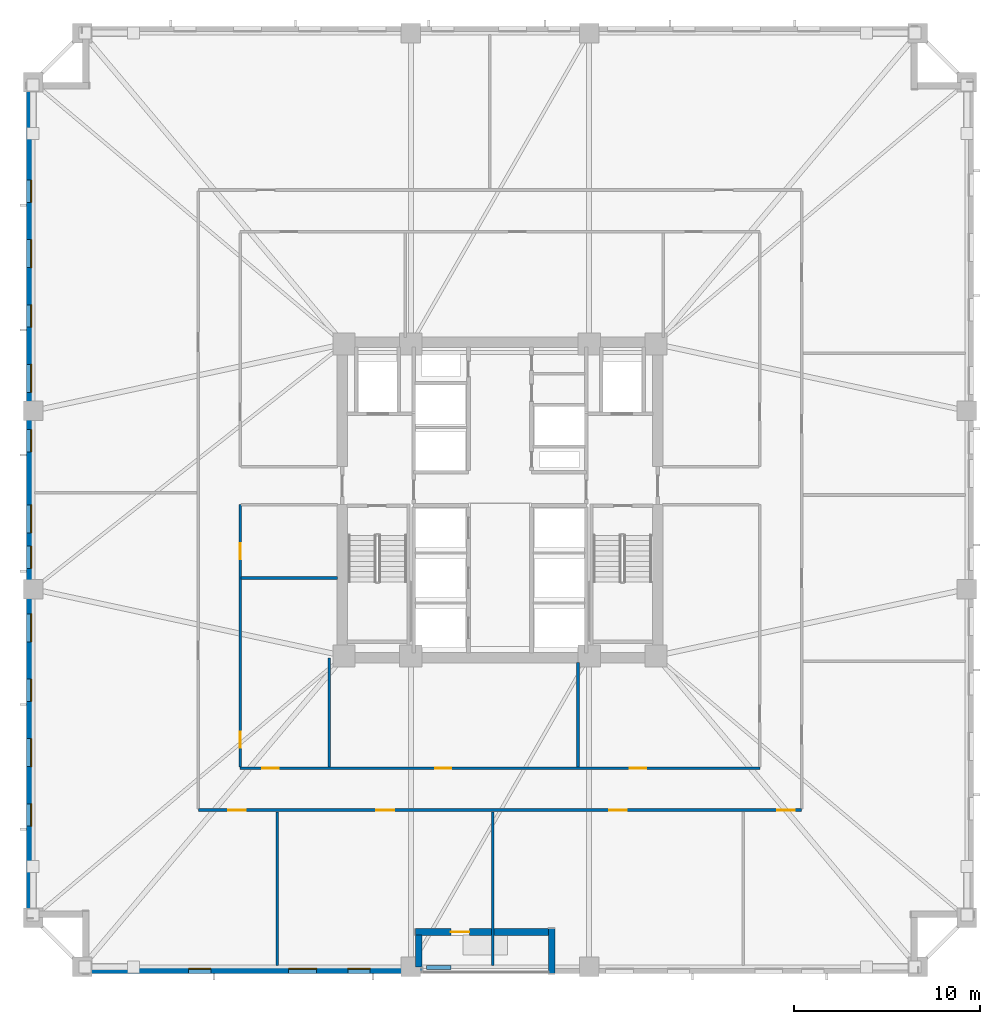
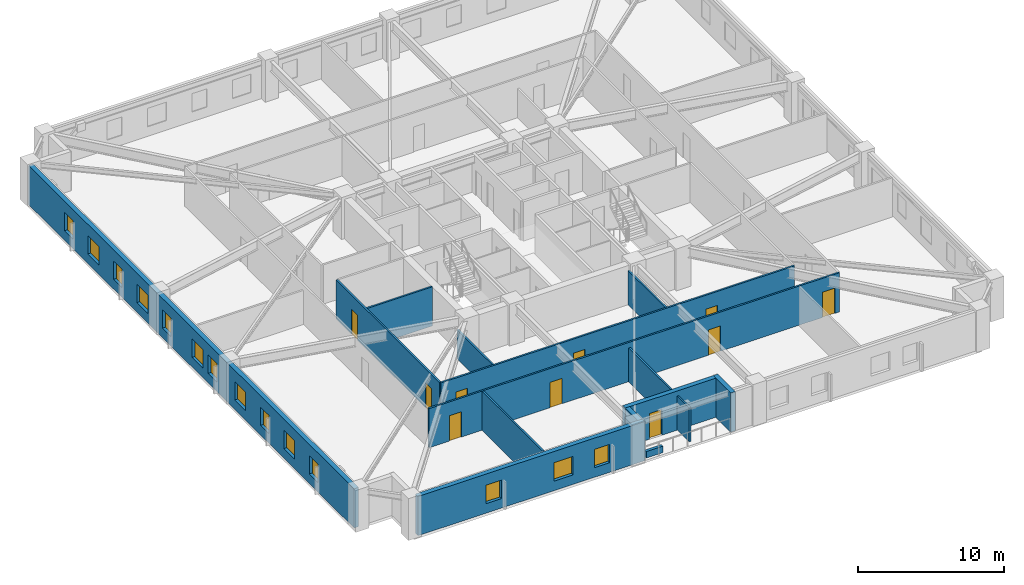
# One storey, part 2 of 11: 14 walls, 14 windows, 10 doors, 24 openings.
"""IFC4 building model written with IfcOpenShell, lengths in metres."""

from ifc_helpers import new_model, si_unit, direction, frame, frame_2d, origin, place, context, subcontext, project, spatial, rectangle, extrude, material, layer, layer_set, type_object, element, fill, save


model = new_model("IFC4")

# Units and contexts
model_context = context("Model", 3, precision=1e-05, world=origin(), true_north=direction((0.0, 1.0)))
body_context = subcontext(model_context, "Body", "Model", "MODEL_VIEW")
ifc_project = project(units=[si_unit("LENGTHUNIT", "METRE"), si_unit("AREAUNIT", "SQUARE_METRE"), si_unit("VOLUMEUNIT", "CUBIC_METRE"), si_unit("PLANEANGLEUNIT", "RADIAN"), si_unit("MASSUNIT", "GRAM", prefix="KILO")], contexts=[model_context])

# Site, building, storey
site_placement = place(None, origin())
site = spatial("IfcSite", under=ifc_project, at=site_placement, CompositionType="ELEMENT")
building_placement = place(site_placement, origin())
building = spatial("IfcBuilding", under=site, at=building_placement, Name="Cairnveth Concourse Tower", CompositionType="ELEMENT")
storey_placement = place(building_placement, frame((0.0, 0.0, 34.0)))
storey = spatial("IfcBuildingStorey", under=building, at=storey_placement, Name="L08", CompositionType="ELEMENT", Elevation=34.0)

# Wall, openings, doors
ifc_material_1 = material(Name="Gypsum Plasterboard Partition", Category="gypsum")
ifc_layer_1 = layer(ifc_material_1, 0.139892578125)
ifc_layer_set_1 = layer_set([ifc_layer_1], Name="Gypsum Plasterboard Partition")
wall_type_1 = type_object("IfcWallType", Name="GYPSUM STUD PARTITION 140", PredefinedType="PARTITIONING", material=ifc_layer_set_1)
wall_1_placement = place(storey_placement, frame((35.75, 22.300048828125, 0.0), z_axis=(0.0, 0.0, 1.0), x_axis=(1.0, 0.0, 0.0)))
wall_1 = element("IfcWall", 1, at=wall_1_placement, inside=storey, type_object=wall_type_1, Name="Interior Wall IW-L08-038", PredefinedType="PARTITIONING", context=body_context, shape_type="SweptSolid", body=[
    extrude(rectangle(XDim=32.5, YDim=0.139892578125, at=frame_2d((16.25, 0.0))), origin(), (0.0, 0.0, 1.0), 3.280029296875),
])
opening_1_placement = place(wall_1_placement, frame((1.603759765625, 0.0, 0.0)))
opening_1 = element("IfcOpeningElement", 2, at=opening_1_placement, cuts=wall_1, Name="Opening ID11", PredefinedType="OPENING", context=body_context, shape_type="SweptSolid", body=[
    extrude(rectangle(XDim=0.9599609375, YDim=2.1201171875, at=frame_2d((0.47998046875, 1.06005859375))), frame((0.0, 0.079833984375, 0.0), z_axis=(0.0, -1.0, 0.0), x_axis=(1.0, 0.0, 0.0)), (0.0, 0.0, 1.0), 0.159912109375),
])
opening_2_placement = place(wall_1_placement, frame((9.5849609375, 0.0, 0.0)))
opening_2 = element("IfcOpeningElement", 3, at=opening_2_placement, cuts=wall_1, Name="Opening ID11", PredefinedType="OPENING", context=body_context, shape_type="SweptSolid", body=[
    extrude(rectangle(XDim=0.9599609375, YDim=2.1201171875, at=frame_2d((0.47998046875, 1.06005859375))), frame((0.0, 0.079833984375, 0.0), z_axis=(0.0, -1.0, 0.0), x_axis=(1.0, 0.0, 0.0)), (0.0, 0.0, 1.0), 0.159912109375),
])
opening_3_placement = place(wall_1_placement, frame((22.125, 0.0, 0.0)))
opening_3 = element("IfcOpeningElement", 4, at=opening_3_placement, cuts=wall_1, Name="Opening ID11", PredefinedType="OPENING", context=body_context, shape_type="SweptSolid", body=[
    extrude(rectangle(XDim=0.9599609375, YDim=2.1201171875, at=frame_2d((0.47998046875, 1.06005859375))), frame((0.0, 0.079833984375, 0.0), z_axis=(0.0, -1.0, 0.0), x_axis=(1.0, 0.0, 0.0)), (0.0, 0.0, 1.0), 0.159912109375),
])
opening_4_placement = place(wall_1_placement, frame((31.179931640625, 0.0, 0.0)))
opening_4 = element("IfcOpeningElement", 5, at=opening_4_placement, cuts=wall_1, Name="Opening ID11", PredefinedType="OPENING", context=body_context, shape_type="SweptSolid", body=[
    extrude(rectangle(XDim=0.9599609375, YDim=2.1201171875, at=frame_2d((0.47998046875, 1.06005859375))), frame((0.0, 0.079833984375, 0.0), z_axis=(0.0, -1.0, 0.0), x_axis=(1.0, 0.0, 0.0)), (0.0, 0.0, 1.0), 0.159912109375),
])
ifc_material_2 = material(Name="Solid Core Hardwood Timber Leaf", Category="wood")
door_type_1 = type_object("IfcDoorType", Name="INTERIOR SINGLE DOOR 960X2150", OperationType="NOTDEFINED", PredefinedType="DOOR", material=ifc_material_2)
door_1_placement = place(opening_1_placement, origin())
door_1 = element("IfcDoor", 6, at=door_1_placement, inside=storey, type_object=door_type_1, Name="Office Door L08-S1", OperationType="SINGLE_SWING_LEFT", OverallHeight=2.1201171875, OverallWidth=0.9599609375, PredefinedType="DOOR", context=body_context, shape_type="SweptSolid", body=[
    extrude(rectangle(XDim=0.9599609375, YDim=2.1201171875, at=frame_2d((0.47998046875, 1.06005859375))), frame((0.0, 0.02490234375, 0.0), z_axis=(0.0, -1.0, 0.0), x_axis=(1.0, 0.0, 0.0)), (0.0, 0.0, 1.0), 0.050048828125),
])
fill(opening_1, door_1)
door_2_placement = place(opening_2_placement, origin())
door_2 = element("IfcDoor", 7, at=door_2_placement, inside=storey, type_object=door_type_1, Name="Office Door L08-S2", OperationType="SINGLE_SWING_RIGHT", OverallHeight=2.1201171875, OverallWidth=0.9599609375, PredefinedType="DOOR", context=body_context, shape_type="SweptSolid", body=[
    extrude(rectangle(XDim=0.9599609375, YDim=2.1201171875, at=frame_2d((0.47998046875, 1.06005859375))), frame((0.0, 0.02490234375, 0.0), z_axis=(0.0, -1.0, 0.0), x_axis=(1.0, 0.0, 0.0)), (0.0, 0.0, 1.0), 0.050048828125),
])
fill(opening_2, door_2)
door_3_placement = place(opening_3_placement, origin())
door_3 = element("IfcDoor", 8, at=door_3_placement, inside=storey, type_object=door_type_1, Name="Office Door L08-S3", OperationType="SINGLE_SWING_LEFT", OverallHeight=2.1201171875, OverallWidth=0.9599609375, PredefinedType="DOOR", context=body_context, shape_type="SweptSolid", body=[
    extrude(rectangle(XDim=0.9599609375, YDim=2.1201171875, at=frame_2d((0.47998046875, 1.06005859375))), frame((0.0, 0.02490234375, 0.0), z_axis=(0.0, -1.0, 0.0), x_axis=(1.0, 0.0, 0.0)), (0.0, 0.0, 1.0), 0.050048828125),
])
fill(opening_3, door_3)
door_4_placement = place(opening_4_placement, origin())
door_4 = element("IfcDoor", 9, at=door_4_placement, inside=storey, type_object=door_type_1, Name="Office Door L08-S4", OperationType="SINGLE_SWING_RIGHT", OverallHeight=2.1201171875, OverallWidth=0.9599609375, PredefinedType="DOOR", context=body_context, shape_type="SweptSolid", body=[
    extrude(rectangle(XDim=0.9599609375, YDim=2.1201171875, at=frame_2d((0.47998046875, 1.06005859375))), frame((0.0, 0.02490234375, 0.0), z_axis=(0.0, -1.0, 0.0), x_axis=(1.0, 0.0, 0.0)), (0.0, 0.0, 1.0), 0.050048828125),
])
fill(opening_4, door_4)

wall_2_placement = place(storey_placement, frame((38.0, 24.550048828125, 0.0), z_axis=(0.0, 0.0, 1.0), x_axis=(1.0, 0.0, 0.0)))
wall_2 = element("IfcWall", 10, at=wall_2_placement, inside=storey, type_object=wall_type_1, Name="Interior Wall IW-L08-042", PredefinedType="PARTITIONING", context=body_context, shape_type="SweptSolid", body=[
    extrude(rectangle(XDim=28.0, YDim=0.139892578125, at=frame_2d((14.0, 0.0))), origin(), (0.0, 0.0, 1.0), 3.280029296875),
])
opening_5_placement = place(wall_2_placement, frame((1.199951171875, 0.0, 0.0)))
opening_5 = element("IfcOpeningElement", 11, at=opening_5_placement, cuts=wall_2, Name="Opening ID18", PredefinedType="OPENING", context=body_context, shape_type="SweptSolid", body=[
    extrude(rectangle(XDim=0.8798828125, YDim=2.10009765625, at=frame_2d((0.43994140625, 1.050048828125))), frame((0.0, 0.079833984375, 0.0), z_axis=(0.0, -1.0, 0.0), x_axis=(1.0, 0.0, 0.0)), (0.0, 0.0, 1.0), 0.159912109375),
])
opening_6_placement = place(wall_2_placement, frame((10.5, 0.0, 0.0)))
opening_6 = element("IfcOpeningElement", 12, at=opening_6_placement, cuts=wall_2, Name="Opening ID18", PredefinedType="OPENING", context=body_context, shape_type="SweptSolid", body=[
    extrude(rectangle(XDim=0.8798828125, YDim=2.10009765625, at=frame_2d((0.43994140625, 1.050048828125))), frame((0.0, 0.079833984375, 0.0), z_axis=(0.0, -1.0, 0.0), x_axis=(1.0, 0.0, 0.0)), (0.0, 0.0, 1.0), 0.159912109375),
])
opening_7_placement = place(wall_2_placement, frame((21.0, 0.0, 0.0)))
opening_7 = element("IfcOpeningElement", 13, at=opening_7_placement, cuts=wall_2, Name="Opening ID18", PredefinedType="OPENING", context=body_context, shape_type="SweptSolid", body=[
    extrude(rectangle(XDim=0.8798828125, YDim=2.10009765625, at=frame_2d((0.43994140625, 1.050048828125))), frame((0.0, 0.079833984375, 0.0), z_axis=(0.0, -1.0, 0.0), x_axis=(1.0, 0.0, 0.0)), (0.0, 0.0, 1.0), 0.159912109375),
])
door_type_2 = type_object("IfcDoorType", Name="INTERIOR SINGLE DOOR 880X2100", OperationType="NOTDEFINED", PredefinedType="DOOR", material=ifc_material_2)
door_5_placement = place(opening_5_placement, origin())
door_5 = element("IfcDoor", 14, at=door_5_placement, inside=storey, type_object=door_type_2, Name="Interior Door DR-L08-014", OperationType="SINGLE_SWING_RIGHT", OverallHeight=2.10009765625, OverallWidth=0.8798828125, PredefinedType="DOOR", context=body_context, shape_type="SweptSolid", body=[
    extrude(rectangle(XDim=0.8798828125, YDim=2.10009765625, at=frame_2d((0.43994140625, 1.050048828125))), frame((0.0, 0.02490234375, 0.0), z_axis=(0.0, -1.0, 0.0), x_axis=(1.0, 0.0, 0.0)), (0.0, 0.0, 1.0), 0.050048828125),
])
fill(opening_5, door_5)
door_6_placement = place(opening_6_placement, origin())
door_6 = element("IfcDoor", 15, at=door_6_placement, inside=storey, type_object=door_type_2, Name="Interior Door DR-L08-015", OperationType="SINGLE_SWING_LEFT", OverallHeight=2.10009765625, OverallWidth=0.8798828125, PredefinedType="DOOR", context=body_context, shape_type="SweptSolid", body=[
    extrude(rectangle(XDim=0.8798828125, YDim=2.10009765625, at=frame_2d((0.43994140625, 1.050048828125))), frame((0.0, 0.02490234375, 0.0), z_axis=(0.0, -1.0, 0.0), x_axis=(1.0, 0.0, 0.0)), (0.0, 0.0, 1.0), 0.050048828125),
])
fill(opening_6, door_6)
door_7_placement = place(opening_7_placement, origin())
door_7 = element("IfcDoor", 16, at=door_7_placement, inside=storey, type_object=door_type_2, Name="Interior Door DR-L08-016", OperationType="SINGLE_SWING_RIGHT", OverallHeight=2.10009765625, OverallWidth=0.8798828125, PredefinedType="DOOR", context=body_context, shape_type="SweptSolid", body=[
    extrude(rectangle(XDim=0.8798828125, YDim=2.10009765625, at=frame_2d((0.43994140625, 1.050048828125))), frame((0.0, 0.02490234375, 0.0), z_axis=(0.0, -1.0, 0.0), x_axis=(1.0, 0.0, 0.0)), (0.0, 0.0, 1.0), 0.050048828125),
])
fill(opening_7, door_7)

wall_3_placement = place(storey_placement, frame((38.0, 24.60498046875, 0.0), z_axis=(0.0, 0.0, 1.0), x_axis=(0.0, 1.0, 0.0)))
wall_3 = element("IfcWall", 17, at=wall_3_placement, inside=storey, type_object=wall_type_1, Name="Interior Wall IW-L08-044", PredefinedType="PARTITIONING", context=body_context, shape_type="SweptSolid", body=[
    extrude(rectangle(XDim=14.14501953125, YDim=0.139892578125, at=frame_2d((7.072509765625, 0.0))), origin(), (0.0, 0.0, 1.0), 3.280029296875),
])
opening_8_placement = place(wall_3_placement, frame((1.044921875, 0.0, 0.0)))
opening_8 = element("IfcOpeningElement", 18, at=opening_8_placement, cuts=wall_3, Name="Opening ID18", PredefinedType="OPENING", context=body_context, shape_type="SweptSolid", body=[
    extrude(rectangle(XDim=0.8798828125, YDim=2.10009765625, at=frame_2d((0.43994140625, 1.050048828125))), frame((0.0, 0.079833984375, 0.0), z_axis=(0.0, -1.0, 0.0), x_axis=(1.0, 0.0, 0.0)), (0.0, 0.0, 1.0), 0.159912109375),
])
opening_9_placement = place(wall_3_placement, frame((11.195068359375, 0.0, 0.0)))
opening_9 = element("IfcOpeningElement", 19, at=opening_9_placement, cuts=wall_3, Name="Opening ID18", PredefinedType="OPENING", context=body_context, shape_type="SweptSolid", body=[
    extrude(rectangle(XDim=0.8798828125, YDim=2.10009765625, at=frame_2d((0.43994140625, 1.050048828125))), frame((0.0, 0.079833984375, 0.0), z_axis=(0.0, -1.0, 0.0), x_axis=(1.0, 0.0, 0.0)), (0.0, 0.0, 1.0), 0.159912109375),
])
door_8_placement = place(opening_8_placement, origin())
door_8 = element("IfcDoor", 20, at=door_8_placement, inside=storey, type_object=door_type_2, Name="Interior Door DR-L08-020", OperationType="SINGLE_SWING_RIGHT", OverallHeight=2.10009765625, OverallWidth=0.8798828125, PredefinedType="DOOR", context=body_context, shape_type="SweptSolid", body=[
    extrude(rectangle(XDim=0.8798828125, YDim=2.10009765625, at=frame_2d((0.43994140625, 1.050048828125))), frame((0.0, 0.02490234375, 0.0), z_axis=(0.0, -1.0, 0.0), x_axis=(1.0, 0.0, 0.0)), (0.0, 0.0, 1.0), 0.050048828125),
])
fill(opening_8, door_8)
door_9_placement = place(opening_9_placement, origin())
door_9 = element("IfcDoor", 21, at=door_9_placement, inside=storey, type_object=door_type_2, Name="Interior Door DR-L08-021", OperationType="SINGLE_SWING_LEFT", OverallHeight=2.10009765625, OverallWidth=0.8798828125, PredefinedType="DOOR", context=body_context, shape_type="SweptSolid", body=[
    extrude(rectangle(XDim=0.8798828125, YDim=2.10009765625, at=frame_2d((0.43994140625, 1.050048828125))), frame((0.0, 0.02490234375, 0.0), z_axis=(0.0, -1.0, 0.0), x_axis=(1.0, 0.0, 0.0)), (0.0, 0.0, 1.0), 0.050048828125),
])
fill(opening_9, door_9)

# Walls
wall_4_placement = place(storey_placement, frame((42.800048828125, 24.60498046875, 0.0), z_axis=(0.0, 0.0, 1.0), x_axis=(0.0, 1.0, 0.0)))
element("IfcWall", 22, at=wall_4_placement, inside=storey, type_object=wall_type_1, Name="Interior Wall IW-L08-052", PredefinedType="PARTITIONING", context=body_context, shape_type="SweptSolid", body=[
    extrude(rectangle(XDim=5.89501953125, YDim=0.139892578125, at=frame_2d((2.947509765625, 0.0))), origin(), (0.0, 0.0, 1.0), 2.43896484375),
])
wall_5_placement = place(storey_placement, frame((56.199951171875, 24.60498046875, 0.0), z_axis=(0.0, 0.0, 1.0), x_axis=(0.0, 1.0, 0.0)))
element("IfcWall", 23, at=wall_5_placement, inside=storey, type_object=wall_type_1, Name="Interior Wall IW-L08-053", PredefinedType="PARTITIONING", context=body_context, shape_type="SweptSolid", body=[
    extrude(rectangle(XDim=5.635009765625, YDim=0.139892578125, at=frame_2d((2.8173828125, 0.0))), origin(), (0.0, 0.0, 1.0), 2.84912109375),
])
wall_6_placement = place(storey_placement, frame((38.054931640625, 34.800048828125, 0.0), z_axis=(0.0, 0.0, 1.0), x_axis=(1.0, 0.0, 0.0)))
element("IfcWall", 24, at=wall_6_placement, inside=storey, type_object=wall_type_1, Name="Interior Wall IW-L08-056", PredefinedType="PARTITIONING", context=body_context, shape_type="SweptSolid", body=[
    extrude(rectangle(XDim=5.18505859375, YDim=0.139892578125, at=frame_2d((2.592529296875, 0.0))), origin(), (0.0, 0.0, 1.0), 3.280029296875),
])
wall_7_placement = place(storey_placement, frame((40.012451171875, 13.919921875, 0.0), z_axis=(0.0, 0.0, 1.0), x_axis=(0.0, 1.0, 0.0)))
element("IfcWall", 25, at=wall_7_placement, inside=storey, type_object=wall_type_1, Name="Interior Wall IW-L08-057", PredefinedType="PARTITIONING", context=body_context, shape_type="SweptSolid", body=[
    extrude(rectangle(XDim=8.280029296875, YDim=0.139892578125, at=frame_2d((4.14013671875, 0.0))), origin(), (0.0, 0.0, 1.0), 3.280029296875),
])
wall_8_placement = place(storey_placement, frame((51.617431640625, 13.919921875, 0.0), z_axis=(0.0, 0.0, 1.0), x_axis=(0.0, 1.0, 0.0)))
element("IfcWall", 26, at=wall_8_placement, inside=storey, type_object=wall_type_1, Name="Interior Wall IW-L08-058", PredefinedType="PARTITIONING", context=body_context, shape_type="SweptSolid", body=[
    extrude(rectangle(XDim=8.280029296875, YDim=0.139892578125, at=frame_2d((4.14013671875, 0.0))), origin(), (0.0, 0.0, 1.0), 2.84912109375),
])
ifc_material_3 = material(Name="Dressed Melbourne Bluestone Cladding", Category="masonry")
ifc_layer_2 = layer(ifc_material_3, 0.219970703125)
ifc_layer_set_2 = layer_set([ifc_layer_2], Name="Dressed Melbourne Bluestone Cladding")
wall_type_2 = type_object("IfcWallType", Name="TERRACE PLANTER CURB WALL 220", PredefinedType="PARAPET", material=ifc_layer_set_2)
wall_9_placement = place(storey_placement, frame((48.050048828125, 13.820068359375, 0.0), z_axis=(0.0, 0.0, 1.0), x_axis=(1.0, 0.0, 0.0)))
element("IfcWall", 27, at=wall_9_placement, inside=storey, type_object=wall_type_2, Name="Exterior Wall PLNT-L08-TERR", PredefinedType="PARAPET", context=body_context, shape_type="SweptSolid", body=[
    extrude(rectangle(XDim=1.300048828125, YDim=0.219970703125, at=frame_2d((0.64990234375, 0.0))), origin(), (0.0, 0.0, 1.0), 0.550048828125),
])

# Wall, openings, windows
ifc_material_4 = material(Name="Hawthorn Red-Ochre Fired Clay Brick Masonry", Category="masonry")
ifc_layer_3 = layer(ifc_material_4, 0.360107421875)
ifc_layer_set_3 = layer_set([ifc_layer_3], Name="Hawthorn Red-Ochre Fired Clay Brick Masonry")
wall_type_3 = type_object("IfcWallType", Name="ZONE 1 BRICK PIER SPANDREL WALL 360", PredefinedType="SOLIDWALL", material=ifc_layer_set_3)
wall_10_placement = place(storey_placement, frame((47.800048828125, 13.679931640625, 0.0), z_axis=(0.0, 0.0, 1.0), x_axis=(-1.0, 0.0, 0.0)))
wall_10 = element("IfcWall", 28, at=wall_10_placement, inside=storey, type_object=wall_type_3, Name="Exterior Wall EW-L08-S00", PredefinedType="SOLIDWALL", context=body_context, shape_type="SweptSolid", body=[
    extrude(rectangle(XDim=17.962158203125, YDim=0.360107421875, at=frame_2d((8.98095703125, 0.0))), origin(), (0.0, 0.0, 1.0), 3.280029296875),
])
opening_10_placement = place(wall_10_placement, frame((2.793701171875, 0.0, 0.800048828125)))
opening_10 = element("IfcOpeningElement", 29, at=opening_10_placement, cuts=wall_10, Name="Opening W01", PredefinedType="OPENING", context=body_context, shape_type="SweptSolid", body=[
    extrude(rectangle(XDim=1.199951171875, YDim=1.5439453125, at=frame_2d((0.60009765625, 0.77197265625))), frame((0.0, 0.18994140625, 0.0), z_axis=(0.0, -1.0, 0.0), x_axis=(1.0, 0.0, 0.0)), (0.0, 0.0, 1.0), 0.380126953125),
])
opening_11_placement = place(wall_10_placement, frame((5.680908203125, 0.0, 0.800048828125)))
opening_11 = element("IfcOpeningElement", 30, at=opening_11_placement, cuts=wall_10, Name="Opening W03", PredefinedType="OPENING", context=body_context, shape_type="SweptSolid", body=[
    extrude(rectangle(XDim=1.5, YDim=1.5439453125, at=frame_2d((0.75, 0.77197265625))), frame((0.0, 0.18994140625, 0.0), z_axis=(0.0, -1.0, 0.0), x_axis=(1.0, 0.0, 0.0)), (0.0, 0.0, 1.0), 0.380126953125),
])
opening_12_placement = place(wall_10_placement, frame((11.368408203125, 0.0, 0.800048828125)))
opening_12 = element("IfcOpeningElement", 31, at=opening_12_placement, cuts=wall_10, Name="Opening W01", PredefinedType="OPENING", context=body_context, shape_type="SweptSolid", body=[
    extrude(rectangle(XDim=1.199951171875, YDim=1.5439453125, at=frame_2d((0.60009765625, 0.77197265625))), frame((0.0, 0.18994140625, 0.0), z_axis=(0.0, -1.0, 0.0), x_axis=(1.0, 0.0, 0.0)), (0.0, 0.0, 1.0), 0.380126953125),
])
ifc_material_5 = material(Name="Double Glazed Low-E Clear Glass", Category="glass")
window_type_1 = type_object("IfcWindowType", Name="DEEP-SET GOTHIC LANCET WINDOW 1200X1800", PartitioningType="DOUBLE_PANEL_VERTICAL", PredefinedType="WINDOW", material=ifc_material_5)
window_1_placement = place(opening_10_placement, origin())
window_1 = element("IfcWindow", 32, at=window_1_placement, inside=storey, type_object=window_type_1, Name="Gothic Lancet Window L08-0-1", OverallHeight=1.5439453125, OverallWidth=1.199951171875, PartitioningType="SINGLE_PANEL", PredefinedType="WINDOW", context=body_context, shape_type="SweptSolid", body=[
    extrude(rectangle(XDim=1.199951171875, YDim=1.5439453125, at=frame_2d((0.60009765625, 0.77197265625))), frame((0.0, -0.050048828125, 0.0), z_axis=(0.0, -1.0, 0.0), x_axis=(1.0, 0.0, 0.0)), (0.0, 0.0, 1.0), 0.06005859375),
])
fill(opening_10, window_1)
window_2_placement = place(opening_12_placement, origin())
window_2 = element("IfcWindow", 33, at=window_2_placement, inside=storey, type_object=window_type_1, Name="Gothic Lancet Window L08-0-3", OverallHeight=1.5439453125, OverallWidth=1.199951171875, PartitioningType="SINGLE_PANEL", PredefinedType="WINDOW", context=body_context, shape_type="SweptSolid", body=[
    extrude(rectangle(XDim=1.199951171875, YDim=1.5439453125, at=frame_2d((0.60009765625, 0.77197265625))), frame((0.0, -0.050048828125, 0.0), z_axis=(0.0, -1.0, 0.0), x_axis=(1.0, 0.0, 0.0)), (0.0, 0.0, 1.0), 0.06005859375),
])
fill(opening_12, window_2)
window_type_2 = type_object("IfcWindowType", Name="DEEP-SET GOTHIC LANCET WINDOW 1500X1800", PartitioningType="DOUBLE_PANEL_VERTICAL", PredefinedType="WINDOW", material=ifc_material_5)
window_3_placement = place(opening_11_placement, origin())
window_3 = element("IfcWindow", 34, at=window_3_placement, inside=storey, type_object=window_type_2, Name="Gothic Lancet Window L08-0-2", OverallHeight=1.5439453125, OverallWidth=1.5, PartitioningType="SINGLE_PANEL", PredefinedType="WINDOW", context=body_context, shape_type="SweptSolid", body=[
    extrude(rectangle(XDim=1.5, YDim=1.5439453125, at=frame_2d((0.75, 0.77197265625))), frame((0.0, -0.050048828125, 0.0), z_axis=(0.0, -1.0, 0.0), x_axis=(1.0, 0.0, 0.0)), (0.0, 0.0, 1.0), 0.06005859375),
])
fill(opening_11, window_3)

wall_11_placement = place(storey_placement, frame((26.679931640625, 16.5, 0.0), z_axis=(0.0, 0.0, 1.0), x_axis=(0.0, 1.0, 0.0)))
wall_11 = element("IfcWall", 35, at=wall_11_placement, inside=storey, type_object=wall_type_3, Name="Exterior Wall EW-L08-S03", PredefinedType="SOLIDWALL", context=body_context, shape_type="SweptSolid", body=[
    extrude(rectangle(XDim=44.662109375, YDim=0.360107421875, at=frame_2d((22.3310546875, 0.0))), origin(), (0.0, 0.0, 1.0), 3.280029296875),
])
opening_13_placement = place(wall_11_placement, frame((4.93017578125, 0.0, 0.800048828125)))
opening_13 = element("IfcOpeningElement", 36, at=opening_13_placement, cuts=wall_11, Name="Opening W01", PredefinedType="OPENING", context=body_context, shape_type="SweptSolid", body=[
    extrude(rectangle(XDim=1.199951171875, YDim=1.5439453125, at=frame_2d((0.60009765625, 0.77197265625))), frame((0.0, 0.18994140625, 0.0), z_axis=(0.0, -1.0, 0.0), x_axis=(1.0, 0.0, 0.0)), (0.0, 0.0, 1.0), 0.380126953125),
])
opening_14_placement = place(wall_11_placement, frame((8.140380859375, 0.0, 0.800048828125)))
opening_14 = element("IfcOpeningElement", 37, at=opening_14_placement, cuts=wall_11, Name="Opening W03", PredefinedType="OPENING", context=body_context, shape_type="SweptSolid", body=[
    extrude(rectangle(XDim=1.5, YDim=1.5439453125, at=frame_2d((0.75, 0.77197265625))), frame((0.0, 0.18994140625, 0.0), z_axis=(0.0, -1.0, 0.0), x_axis=(1.0, 0.0, 0.0)), (0.0, 0.0, 1.0), 0.380126953125),
])
opening_15_placement = place(wall_11_placement, frame((11.650390625, 0.0, 0.800048828125)))
opening_15 = element("IfcOpeningElement", 38, at=opening_15_placement, cuts=wall_11, Name="Opening W01", PredefinedType="OPENING", context=body_context, shape_type="SweptSolid", body=[
    extrude(rectangle(XDim=1.199951171875, YDim=1.5439453125, at=frame_2d((0.60009765625, 0.77197265625))), frame((0.0, 0.18994140625, 0.0), z_axis=(0.0, -1.0, 0.0), x_axis=(1.0, 0.0, 0.0)), (0.0, 0.0, 1.0), 0.380126953125),
])
opening_16_placement = place(wall_11_placement, frame((14.860595703125, 0.0, 0.800048828125)))
opening_16 = element("IfcOpeningElement", 39, at=opening_16_placement, cuts=wall_11, Name="Opening W03", PredefinedType="OPENING", context=body_context, shape_type="SweptSolid", body=[
    extrude(rectangle(XDim=1.5, YDim=1.5439453125, at=frame_2d((0.75, 0.77197265625))), frame((0.0, 0.18994140625, 0.0), z_axis=(0.0, -1.0, 0.0), x_axis=(1.0, 0.0, 0.0)), (0.0, 0.0, 1.0), 0.380126953125),
])
opening_17_placement = place(wall_11_placement, frame((18.82080078125, 0.0, 0.800048828125)))
opening_17 = element("IfcOpeningElement", 40, at=opening_17_placement, cuts=wall_11, Name="Opening W01", PredefinedType="OPENING", context=body_context, shape_type="SweptSolid", body=[
    extrude(rectangle(XDim=1.199951171875, YDim=1.5439453125, at=frame_2d((0.60009765625, 0.77197265625))), frame((0.0, 0.18994140625, 0.0), z_axis=(0.0, -1.0, 0.0), x_axis=(1.0, 0.0, 0.0)), (0.0, 0.0, 1.0), 0.380126953125),
])
opening_18_placement = place(wall_11_placement, frame((20.73095703125, 0.0, 0.800048828125)))
opening_18 = element("IfcOpeningElement", 41, at=opening_18_placement, cuts=wall_11, Name="Opening W03", PredefinedType="OPENING", context=body_context, shape_type="SweptSolid", body=[
    extrude(rectangle(XDim=1.5, YDim=1.5439453125, at=frame_2d((0.75, 0.77197265625))), frame((0.0, 0.18994140625, 0.0), z_axis=(0.0, -1.0, 0.0), x_axis=(1.0, 0.0, 0.0)), (0.0, 0.0, 1.0), 0.380126953125),
])
opening_19_placement = place(wall_11_placement, frame((25.09130859375, 0.0, 0.800048828125)))
opening_19 = element("IfcOpeningElement", 42, at=opening_19_placement, cuts=wall_11, Name="Opening W01", PredefinedType="OPENING", context=body_context, shape_type="SweptSolid", body=[
    extrude(rectangle(XDim=1.199951171875, YDim=1.5439453125, at=frame_2d((0.60009765625, 0.77197265625))), frame((0.0, 0.18994140625, 0.0), z_axis=(0.0, -1.0, 0.0), x_axis=(1.0, 0.0, 0.0)), (0.0, 0.0, 1.0), 0.380126953125),
])
opening_20_placement = place(wall_11_placement, frame((28.301513671875, 0.0, 0.800048828125)))
opening_20 = element("IfcOpeningElement", 43, at=opening_20_placement, cuts=wall_11, Name="Opening W03", PredefinedType="OPENING", context=body_context, shape_type="SweptSolid", body=[
    extrude(rectangle(XDim=1.5, YDim=1.5439453125, at=frame_2d((0.75, 0.77197265625))), frame((0.0, 0.18994140625, 0.0), z_axis=(0.0, -1.0, 0.0), x_axis=(1.0, 0.0, 0.0)), (0.0, 0.0, 1.0), 0.380126953125),
])
opening_21_placement = place(wall_11_placement, frame((31.8115234375, 0.0, 0.800048828125)))
opening_21 = element("IfcOpeningElement", 44, at=opening_21_placement, cuts=wall_11, Name="Opening W01", PredefinedType="OPENING", context=body_context, shape_type="SweptSolid", body=[
    extrude(rectangle(XDim=1.199951171875, YDim=1.5439453125, at=frame_2d((0.60009765625, 0.77197265625))), frame((0.0, 0.18994140625, 0.0), z_axis=(0.0, -1.0, 0.0), x_axis=(1.0, 0.0, 0.0)), (0.0, 0.0, 1.0), 0.380126953125),
])
opening_22_placement = place(wall_11_placement, frame((35.021728515625, 0.0, 0.800048828125)))
opening_22 = element("IfcOpeningElement", 45, at=opening_22_placement, cuts=wall_11, Name="Opening W03", PredefinedType="OPENING", context=body_context, shape_type="SweptSolid", body=[
    extrude(rectangle(XDim=1.5, YDim=1.5439453125, at=frame_2d((0.75, 0.77197265625))), frame((0.0, 0.18994140625, 0.0), z_axis=(0.0, -1.0, 0.0), x_axis=(1.0, 0.0, 0.0)), (0.0, 0.0, 1.0), 0.380126953125),
])
opening_23_placement = place(wall_11_placement, frame((38.531982421875, 0.0, 0.800048828125)))
opening_23 = element("IfcOpeningElement", 46, at=opening_23_placement, cuts=wall_11, Name="Opening W01", PredefinedType="OPENING", context=body_context, shape_type="SweptSolid", body=[
    extrude(rectangle(XDim=1.199951171875, YDim=1.5439453125, at=frame_2d((0.60009765625, 0.77197265625))), frame((0.0, 0.18994140625, 0.0), z_axis=(0.0, -1.0, 0.0), x_axis=(1.0, 0.0, 0.0)), (0.0, 0.0, 1.0), 0.380126953125),
])
window_4_placement = place(opening_13_placement, origin())
window_4 = element("IfcWindow", 47, at=window_4_placement, inside=storey, type_object=window_type_1, Name="Gothic Lancet Window L08-3-1", OverallHeight=1.5439453125, OverallWidth=1.199951171875, PartitioningType="SINGLE_PANEL", PredefinedType="WINDOW", context=body_context, shape_type="SweptSolid", body=[
    extrude(rectangle(XDim=1.199951171875, YDim=1.5439453125, at=frame_2d((0.60009765625, 0.77197265625))), frame((0.0, -0.050048828125, 0.0), z_axis=(0.0, -1.0, 0.0), x_axis=(1.0, 0.0, 0.0)), (0.0, 0.0, 1.0), 0.06005859375),
])
fill(opening_13, window_4)
window_5_placement = place(opening_15_placement, origin())
window_5 = element("IfcWindow", 48, at=window_5_placement, inside=storey, type_object=window_type_1, Name="Gothic Lancet Window L08-3-3", OverallHeight=1.5439453125, OverallWidth=1.199951171875, PartitioningType="SINGLE_PANEL", PredefinedType="WINDOW", context=body_context, shape_type="SweptSolid", body=[
    extrude(rectangle(XDim=1.199951171875, YDim=1.5439453125, at=frame_2d((0.60009765625, 0.77197265625))), frame((0.0, -0.050048828125, 0.0), z_axis=(0.0, -1.0, 0.0), x_axis=(1.0, 0.0, 0.0)), (0.0, 0.0, 1.0), 0.06005859375),
])
fill(opening_15, window_5)
window_6_placement = place(opening_17_placement, origin())
window_6 = element("IfcWindow", 49, at=window_6_placement, inside=storey, type_object=window_type_1, Name="Gothic Lancet Window L08-3-5", OverallHeight=1.5439453125, OverallWidth=1.199951171875, PartitioningType="SINGLE_PANEL", PredefinedType="WINDOW", context=body_context, shape_type="SweptSolid", body=[
    extrude(rectangle(XDim=1.199951171875, YDim=1.5439453125, at=frame_2d((0.60009765625, 0.77197265625))), frame((0.0, -0.050048828125, 0.0), z_axis=(0.0, -1.0, 0.0), x_axis=(1.0, 0.0, 0.0)), (0.0, 0.0, 1.0), 0.06005859375),
])
fill(opening_17, window_6)
window_7_placement = place(opening_19_placement, origin())
window_7 = element("IfcWindow", 50, at=window_7_placement, inside=storey, type_object=window_type_1, Name="Gothic Lancet Window L08-3-7", OverallHeight=1.5439453125, OverallWidth=1.199951171875, PartitioningType="SINGLE_PANEL", PredefinedType="WINDOW", context=body_context, shape_type="SweptSolid", body=[
    extrude(rectangle(XDim=1.199951171875, YDim=1.5439453125, at=frame_2d((0.60009765625, 0.77197265625))), frame((0.0, -0.050048828125, 0.0), z_axis=(0.0, -1.0, 0.0), x_axis=(1.0, 0.0, 0.0)), (0.0, 0.0, 1.0), 0.06005859375),
])
fill(opening_19, window_7)
window_8_placement = place(opening_21_placement, origin())
window_8 = element("IfcWindow", 51, at=window_8_placement, inside=storey, type_object=window_type_1, Name="Gothic Lancet Window L08-3-9", OverallHeight=1.5439453125, OverallWidth=1.199951171875, PartitioningType="SINGLE_PANEL", PredefinedType="WINDOW", context=body_context, shape_type="SweptSolid", body=[
    extrude(rectangle(XDim=1.199951171875, YDim=1.5439453125, at=frame_2d((0.60009765625, 0.77197265625))), frame((0.0, -0.050048828125, 0.0), z_axis=(0.0, -1.0, 0.0), x_axis=(1.0, 0.0, 0.0)), (0.0, 0.0, 1.0), 0.06005859375),
])
fill(opening_21, window_8)
window_9_placement = place(opening_23_placement, origin())
window_9 = element("IfcWindow", 52, at=window_9_placement, inside=storey, type_object=window_type_1, Name="Gothic Lancet Window L08-3-11", OverallHeight=1.5439453125, OverallWidth=1.199951171875, PartitioningType="SINGLE_PANEL", PredefinedType="WINDOW", context=body_context, shape_type="SweptSolid", body=[
    extrude(rectangle(XDim=1.199951171875, YDim=1.5439453125, at=frame_2d((0.60009765625, 0.77197265625))), frame((0.0, -0.050048828125, 0.0), z_axis=(0.0, -1.0, 0.0), x_axis=(1.0, 0.0, 0.0)), (0.0, 0.0, 1.0), 0.06005859375),
])
fill(opening_23, window_9)
window_10_placement = place(opening_14_placement, origin())
window_10 = element("IfcWindow", 53, at=window_10_placement, inside=storey, type_object=window_type_2, Name="Gothic Lancet Window L08-3-2", OverallHeight=1.5439453125, OverallWidth=1.5, PartitioningType="SINGLE_PANEL", PredefinedType="WINDOW", context=body_context, shape_type="SweptSolid", body=[
    extrude(rectangle(XDim=1.5, YDim=1.5439453125, at=frame_2d((0.75, 0.77197265625))), frame((0.0, -0.050048828125, 0.0), z_axis=(0.0, -1.0, 0.0), x_axis=(1.0, 0.0, 0.0)), (0.0, 0.0, 1.0), 0.06005859375),
])
fill(opening_14, window_10)
window_11_placement = place(opening_16_placement, origin())
window_11 = element("IfcWindow", 54, at=window_11_placement, inside=storey, type_object=window_type_2, Name="Gothic Lancet Window L08-3-4", OverallHeight=1.5439453125, OverallWidth=1.5, PartitioningType="SINGLE_PANEL", PredefinedType="WINDOW", context=body_context, shape_type="SweptSolid", body=[
    extrude(rectangle(XDim=1.5, YDim=1.5439453125, at=frame_2d((0.75, 0.77197265625))), frame((0.0, -0.050048828125, 0.0), z_axis=(0.0, -1.0, 0.0), x_axis=(1.0, 0.0, 0.0)), (0.0, 0.0, 1.0), 0.06005859375),
])
fill(opening_16, window_11)
window_12_placement = place(opening_18_placement, origin())
window_12 = element("IfcWindow", 55, at=window_12_placement, inside=storey, type_object=window_type_2, Name="Gothic Lancet Window L08-3-6", OverallHeight=1.5439453125, OverallWidth=1.5, PartitioningType="SINGLE_PANEL", PredefinedType="WINDOW", context=body_context, shape_type="SweptSolid", body=[
    extrude(rectangle(XDim=1.5, YDim=1.5439453125, at=frame_2d((0.75, 0.77197265625))), frame((0.0, -0.050048828125, 0.0), z_axis=(0.0, -1.0, 0.0), x_axis=(1.0, 0.0, 0.0)), (0.0, 0.0, 1.0), 0.06005859375),
])
fill(opening_18, window_12)
window_13_placement = place(opening_20_placement, origin())
window_13 = element("IfcWindow", 56, at=window_13_placement, inside=storey, type_object=window_type_2, Name="Gothic Lancet Window L08-3-8", OverallHeight=1.5439453125, OverallWidth=1.5, PartitioningType="SINGLE_PANEL", PredefinedType="WINDOW", context=body_context, shape_type="SweptSolid", body=[
    extrude(rectangle(XDim=1.5, YDim=1.5439453125, at=frame_2d((0.75, 0.77197265625))), frame((0.0, -0.050048828125, 0.0), z_axis=(0.0, -1.0, 0.0), x_axis=(1.0, 0.0, 0.0)), (0.0, 0.0, 1.0), 0.06005859375),
])
fill(opening_20, window_13)
window_14_placement = place(opening_22_placement, origin())
window_14 = element("IfcWindow", 57, at=window_14_placement, inside=storey, type_object=window_type_2, Name="Gothic Lancet Window L08-3-10", OverallHeight=1.5439453125, OverallWidth=1.5, PartitioningType="SINGLE_PANEL", PredefinedType="WINDOW", context=body_context, shape_type="SweptSolid", body=[
    extrude(rectangle(XDim=1.5, YDim=1.5439453125, at=frame_2d((0.75, 0.77197265625))), frame((0.0, -0.050048828125, 0.0), z_axis=(0.0, -1.0, 0.0), x_axis=(1.0, 0.0, 0.0)), (0.0, 0.0, 1.0), 0.06005859375),
])
fill(opening_22, window_14)

# Wall
wall_12_placement = place(storey_placement, frame((54.780029296875, 13.5, 0.0), z_axis=(0.0, 0.0, 1.0), x_axis=(0.0, 1.0, 0.0)))
element("IfcWall", 58, at=wall_12_placement, inside=storey, type_object=wall_type_3, Name="Exterior Wall EW-L08-S13", PredefinedType="SOLIDWALL", context=body_context, shape_type="SweptSolid", body=[
    extrude(rectangle(XDim=2.409912109375, YDim=0.360107421875, at=frame_2d((1.205078125, 0.0))), origin(), (0.0, 0.0, 1.0), 3.280029296875),
])

# Wall, opening, door
wall_13_placement = place(storey_placement, frame((54.6220703125, 15.72998046875, 0.0), z_axis=(0.0, 0.0, 1.0), x_axis=(-1.0, 0.0, 0.0)))
wall_13 = element("IfcWall", 59, at=wall_13_placement, inside=storey, type_object=wall_type_3, Name="Exterior Wall EW-L08-S14", PredefinedType="SOLIDWALL", context=body_context, shape_type="SweptSolid", body=[
    extrude(rectangle(XDim=7.18212890625, YDim=0.360107421875, at=frame_2d((3.591064453125, 0.0))), origin(), (0.0, 0.0, 1.0), 3.280029296875),
])
opening_24_placement = place(wall_13_placement, frame((4.268310546875, 0.0, 0.0)))
opening_24 = element("IfcOpeningElement", 60, at=opening_24_placement, cuts=wall_13, Name="Opening ED4", PredefinedType="OPENING", context=body_context, shape_type="SweptSolid", body=[
    extrude(rectangle(XDim=1.0, YDim=2.14990234375, at=frame_2d((0.5, 1.074951171875))), frame((0.0, 0.18994140625, 0.0), z_axis=(0.0, -1.0, 0.0), x_axis=(1.0, 0.0, 0.0)), (0.0, 0.0, 1.0), 0.380126953125),
])
ifc_material_6 = material(Name="Architectural Bronze Anodised Aluminium 6063-T6", Category="aluminium")
door_type_3 = type_object("IfcDoorType", Name="TERRACE GLAZED DOOR 1000X2150", OperationType="NOTDEFINED", PredefinedType="DOOR", material=ifc_material_6)
door_10_placement = place(opening_24_placement, origin())
door_10 = element("IfcDoor", 61, at=door_10_placement, inside=storey, type_object=door_type_3, Name="Spiral Terrace Door L08", OperationType="SINGLE_SWING_LEFT", OverallHeight=2.14990234375, OverallWidth=1.0, PredefinedType="DOOR", context=body_context, shape_type="SweptSolid", body=[
    extrude(rectangle(XDim=1.0, YDim=2.14990234375, at=frame_2d((0.5, 1.074951171875))), frame((0.0, 0.02490234375, 0.0), z_axis=(0.0, -1.0, 0.0), x_axis=(1.0, 0.0, 0.0)), (0.0, 0.0, 1.0), 0.050048828125),
])
fill(opening_24, door_10)

# Wall
wall_14_placement = place(storey_placement, frame((47.6201171875, 15.572021484375, 0.0), z_axis=(0.0, 0.0, 1.0), x_axis=(0.0, -1.0, 0.0)))
element("IfcWall", 62, at=wall_14_placement, inside=storey, type_object=wall_type_3, Name="Exterior Wall EW-L08-S15", PredefinedType="SOLIDWALL", context=body_context, shape_type="SweptSolid", body=[
    extrude(rectangle(XDim=1.734130859375, YDim=0.360107421875, at=frame_2d((0.8671875, 0.0))), origin(), (0.0, 0.0, 1.0), 3.280029296875),
])

save(model, "model.ifc")
